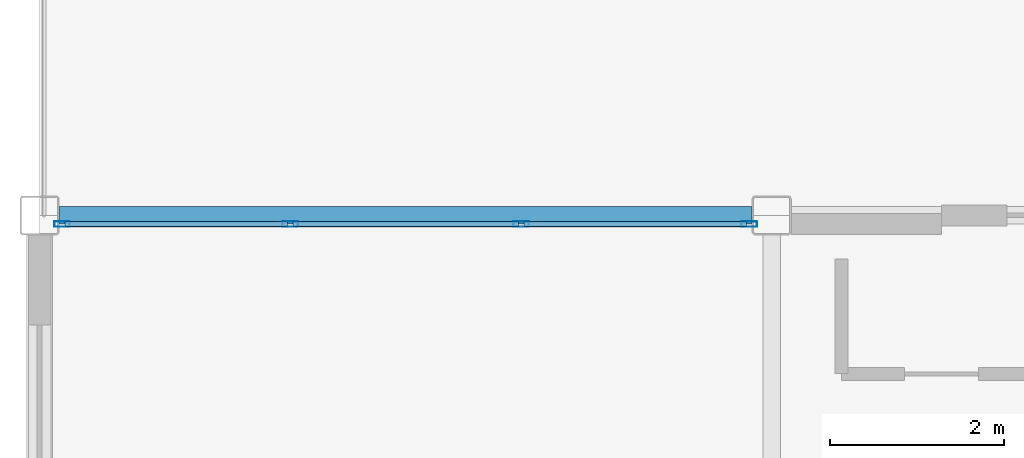
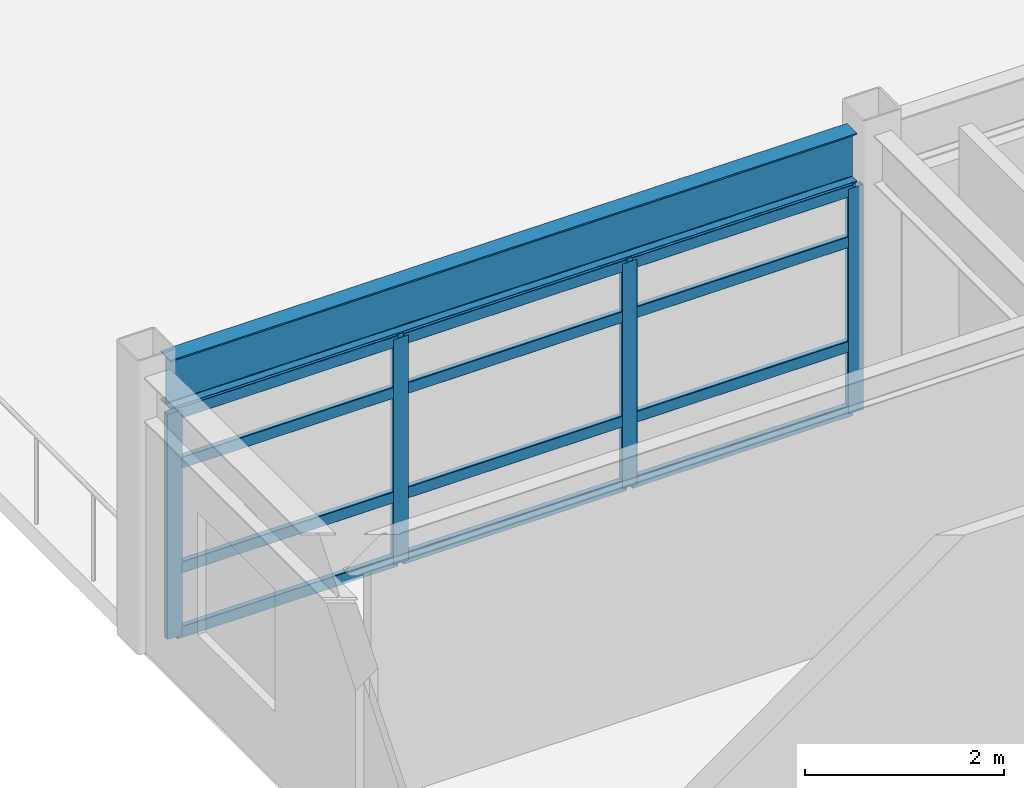
# One storey, part 15 of 28: 16 members, 1 beam, 1 element without a shape of its own.
"""IFC4 building model written with IfcOpenShell, lengths in metres."""

from ifc_helpers import new_model, si_unit, direction, frame, origin, origin_2d, place, context, subcontext, project, spatial, hollow_rectangle, i_section, extrude, material, layer, layer_set, material_profile, profile_set, type_object, element, aggregate, save


model = new_model("IFC4")

# Units and contexts
model_context = context("Model", 3, precision=1e-05, world=origin(), true_north=direction((0.0, 1.0)))
body_context = subcontext(model_context, "Body", "Model", "MODEL_VIEW")
ifc_project = project(units=[si_unit("LENGTHUNIT", "METRE"), si_unit("AREAUNIT", "SQUARE_METRE"), si_unit("VOLUMEUNIT", "CUBIC_METRE"), si_unit("PLANEANGLEUNIT", "RADIAN"), si_unit("MASSUNIT", "GRAM", prefix="KILO")], contexts=[model_context])

# Site, building, storey
site_placement = place(None, origin())
site = spatial("IfcSite", under=ifc_project, at=site_placement, CompositionType="ELEMENT")
building_placement = place(site_placement, origin())
building = spatial("IfcBuilding", under=site, at=building_placement, Name="Kazehara Bluff Congress Hotel", CompositionType="ELEMENT")
storey_placement = place(building_placement, frame((0.0, 0.0, 42.60009765625)))
storey = spatial("IfcBuildingStorey", under=building, at=storey_placement, Name="L10", CompositionType="ELEMENT", Elevation=42.60009765625)

# Curtain wall, members
ifc_material_1 = material(Name="Anodised aluminium", Category="aluminium")
ifc_layer = layer(ifc_material_1, 0.159912109375)
ifc_layer_set = layer_set([ifc_layer], Name="Anodised aluminium")
curtain_wall_type = type_object("IfcCurtainWallType", Name="TP-CW-196", PredefinedType="NOTDEFINED", material=ifc_layer_set)
curtain_wall_placement = place(storey_placement, origin())
curtain_wall = element("IfcCurtainWall", 1, at=curtain_wall_placement, inside=storey, type_object=curtain_wall_type, Name="L10 curtain wall CW-196 CW-ENC-V5-L10-14790-8080", PredefinedType="NOTDEFINED")
ifc_material_2 = material(Name="Anodised aluminium", Category="aluminium")
ifc_material_profile_1 = material_profile(ifc_material_2, hollow_rectangle(XDim=0.06494140625, YDim=0.179931640625, WallThickness=0.00390625, InnerFilletRadius=0.00390625, OuterFilletRadius=0.008056640625, at=origin_2d()))
ifc_profile_set_1 = profile_set([ifc_material_profile_1], Name="Anodised aluminium")
member_type_1 = type_object("IfcMemberType", Name="TP-CWM-02", PredefinedType="MULLION", material=ifc_profile_set_1)
member_1_placement = place(storey_placement, frame((143.95751953125, 80.800048828125, 0.0), z_axis=(0.0, 0.0, 1.0), x_axis=(0.0, 1.0, 0.0)))
member_1 = element("IfcMember", 2, at=member_1_placement, type_object=member_type_1, Name="CW-196 mullion 1", PredefinedType="MULLION", context=body_context, shape_type="SweptSolid", body=[
    extrude(hollow_rectangle(XDim=0.06494140625, YDim=0.179931640625, WallThickness=0.00390625, InnerFilletRadius=0.00390625, OuterFilletRadius=0.008056640625, at=origin_2d()), origin(), (0.0, 0.0, 1.0), 2.7548828125),
])
member_2_placement = place(storey_placement, frame((146.574951171875, 80.800048828125, 0.0), z_axis=(0.0, 0.0, 1.0), x_axis=(0.0, 1.0, 0.0)))
member_2 = element("IfcMember", 3, at=member_2_placement, type_object=member_type_1, Name="CW-196 mullion 2", PredefinedType="MULLION", context=body_context, shape_type="SweptSolid", body=[
    extrude(hollow_rectangle(XDim=0.06494140625, YDim=0.179931640625, WallThickness=0.00390625, InnerFilletRadius=0.00390625, OuterFilletRadius=0.008056640625, at=origin_2d()), origin(), (0.0, 0.0, 1.0), 2.7548828125),
])
member_3_placement = place(storey_placement, frame((149.22509765625, 80.800048828125, 0.0), z_axis=(0.0, 0.0, 1.0), x_axis=(0.0, 1.0, 0.0)))
member_3 = element("IfcMember", 4, at=member_3_placement, type_object=member_type_1, Name="CW-196 mullion 3", PredefinedType="MULLION", context=body_context, shape_type="SweptSolid", body=[
    extrude(hollow_rectangle(XDim=0.06494140625, YDim=0.179931640625, WallThickness=0.00390625, InnerFilletRadius=0.00390625, OuterFilletRadius=0.008056640625, at=origin_2d()), origin(), (0.0, 0.0, 1.0), 2.7548828125),
])
member_4_placement = place(storey_placement, frame((151.842529296875, 80.800048828125, 0.0), z_axis=(0.0, 0.0, 1.0), x_axis=(0.0, 1.0, 0.0)))
member_4 = element("IfcMember", 5, at=member_4_placement, type_object=member_type_1, Name="CW-196 mullion 4", PredefinedType="MULLION", context=body_context, shape_type="SweptSolid", body=[
    extrude(hollow_rectangle(XDim=0.06494140625, YDim=0.179931640625, WallThickness=0.00390625, InnerFilletRadius=0.00390625, OuterFilletRadius=0.008056640625, at=origin_2d()), origin(), (0.0, 0.0, 1.0), 2.7548828125),
])
ifc_material_3 = material(Name="Anodised aluminium", Category="aluminium")
ifc_material_profile_2 = material_profile(ifc_material_3, hollow_rectangle(XDim=0.06494140625, YDim=0.139892578125, WallThickness=0.00390625, InnerFilletRadius=0.00390625, OuterFilletRadius=0.008056640625, at=origin_2d()))
ifc_profile_set_2 = profile_set([ifc_material_profile_2], Name="Anodised aluminium")
member_type_2 = type_object("IfcMemberType", Name="TP-CWT-02", PredefinedType="USERDEFINED", material=ifc_profile_set_2)
member_5_placement = place(storey_placement, frame((143.989990234375, 80.800048828125, 0.032470703125), z_axis=(1.0, 0.0, 0.0), x_axis=(0.0, 1.0, 0.0)))
member_5 = element("IfcMember", 6, at=member_5_placement, type_object=member_type_2, Name="CW-196 transom 1.1", ObjectType="TRANSOM", PredefinedType="USERDEFINED", context=body_context, shape_type="SweptSolid", body=[
    extrude(hollow_rectangle(XDim=0.06494140625, YDim=0.139892578125, WallThickness=0.00390625, InnerFilletRadius=0.00390625, OuterFilletRadius=0.008056640625, at=origin_2d()), origin(), (0.0, 0.0, 1.0), 2.552490234375),
])
member_6_placement = place(storey_placement, frame((143.989990234375, 80.800048828125, 0.824951171875), z_axis=(1.0, 0.0, 0.0), x_axis=(0.0, 1.0, 0.0)))
member_6 = element("IfcMember", 7, at=member_6_placement, type_object=member_type_2, Name="CW-196 transom 1.2", ObjectType="TRANSOM", PredefinedType="USERDEFINED", context=body_context, shape_type="SweptSolid", body=[
    extrude(hollow_rectangle(XDim=0.06494140625, YDim=0.139892578125, WallThickness=0.00390625, InnerFilletRadius=0.00390625, OuterFilletRadius=0.008056640625, at=origin_2d()), origin(), (0.0, 0.0, 1.0), 2.552490234375),
])
member_7_placement = place(storey_placement, frame((143.989990234375, 80.800048828125, 2.10498046875), z_axis=(1.0, 0.0, 0.0), x_axis=(0.0, 1.0, 0.0)))
member_7 = element("IfcMember", 8, at=member_7_placement, type_object=member_type_2, Name="CW-196 transom 1.3", ObjectType="TRANSOM", PredefinedType="USERDEFINED", context=body_context, shape_type="SweptSolid", body=[
    extrude(hollow_rectangle(XDim=0.06494140625, YDim=0.139892578125, WallThickness=0.00390625, InnerFilletRadius=0.00390625, OuterFilletRadius=0.008056640625, at=origin_2d()), origin(), (0.0, 0.0, 1.0), 2.552490234375),
])
member_8_placement = place(storey_placement, frame((143.989990234375, 80.800048828125, 2.722412109375), z_axis=(1.0, 0.0, 0.0), x_axis=(0.0, 1.0, 0.0)))
member_8 = element("IfcMember", 9, at=member_8_placement, type_object=member_type_2, Name="CW-196 transom 1.4", ObjectType="TRANSOM", PredefinedType="USERDEFINED", context=body_context, shape_type="SweptSolid", body=[
    extrude(hollow_rectangle(XDim=0.06494140625, YDim=0.139892578125, WallThickness=0.00390625, InnerFilletRadius=0.00390625, OuterFilletRadius=0.008056640625, at=origin_2d()), origin(), (0.0, 0.0, 1.0), 2.552490234375),
])
member_9_placement = place(storey_placement, frame((146.607421875, 80.800048828125, 0.032470703125), z_axis=(1.0, 0.0, 0.0), x_axis=(0.0, 1.0, 0.0)))
member_9 = element("IfcMember", 10, at=member_9_placement, type_object=member_type_2, Name="CW-196 transom 2.1", ObjectType="TRANSOM", PredefinedType="USERDEFINED", context=body_context, shape_type="SweptSolid", body=[
    extrude(hollow_rectangle(XDim=0.06494140625, YDim=0.139892578125, WallThickness=0.00390625, InnerFilletRadius=0.00390625, OuterFilletRadius=0.008056640625, at=origin_2d()), origin(), (0.0, 0.0, 1.0), 2.5849609375),
])
member_10_placement = place(storey_placement, frame((146.607421875, 80.800048828125, 0.824951171875), z_axis=(1.0, 0.0, 0.0), x_axis=(0.0, 1.0, 0.0)))
member_10 = element("IfcMember", 11, at=member_10_placement, type_object=member_type_2, Name="CW-196 transom 2.2", ObjectType="TRANSOM", PredefinedType="USERDEFINED", context=body_context, shape_type="SweptSolid", body=[
    extrude(hollow_rectangle(XDim=0.06494140625, YDim=0.139892578125, WallThickness=0.00390625, InnerFilletRadius=0.00390625, OuterFilletRadius=0.008056640625, at=origin_2d()), origin(), (0.0, 0.0, 1.0), 2.5849609375),
])
member_11_placement = place(storey_placement, frame((146.607421875, 80.800048828125, 2.10498046875), z_axis=(1.0, 0.0, 0.0), x_axis=(0.0, 1.0, 0.0)))
member_11 = element("IfcMember", 12, at=member_11_placement, type_object=member_type_2, Name="CW-196 transom 2.3", ObjectType="TRANSOM", PredefinedType="USERDEFINED", context=body_context, shape_type="SweptSolid", body=[
    extrude(hollow_rectangle(XDim=0.06494140625, YDim=0.139892578125, WallThickness=0.00390625, InnerFilletRadius=0.00390625, OuterFilletRadius=0.008056640625, at=origin_2d()), origin(), (0.0, 0.0, 1.0), 2.5849609375),
])
member_12_placement = place(storey_placement, frame((146.607421875, 80.800048828125, 2.722412109375), z_axis=(1.0, 0.0, 0.0), x_axis=(0.0, 1.0, 0.0)))
member_12 = element("IfcMember", 13, at=member_12_placement, type_object=member_type_2, Name="CW-196 transom 2.4", ObjectType="TRANSOM", PredefinedType="USERDEFINED", context=body_context, shape_type="SweptSolid", body=[
    extrude(hollow_rectangle(XDim=0.06494140625, YDim=0.139892578125, WallThickness=0.00390625, InnerFilletRadius=0.00390625, OuterFilletRadius=0.008056640625, at=origin_2d()), origin(), (0.0, 0.0, 1.0), 2.5849609375),
])
member_13_placement = place(storey_placement, frame((149.257568359375, 80.800048828125, 0.032470703125), z_axis=(1.0, 0.0, 0.0), x_axis=(0.0, 1.0, 0.0)))
member_13 = element("IfcMember", 14, at=member_13_placement, type_object=member_type_2, Name="CW-196 transom 3.1", ObjectType="TRANSOM", PredefinedType="USERDEFINED", context=body_context, shape_type="SweptSolid", body=[
    extrude(hollow_rectangle(XDim=0.06494140625, YDim=0.139892578125, WallThickness=0.00390625, InnerFilletRadius=0.00390625, OuterFilletRadius=0.008056640625, at=origin_2d()), origin(), (0.0, 0.0, 1.0), 2.552490234375),
])
member_14_placement = place(storey_placement, frame((149.257568359375, 80.800048828125, 0.824951171875), z_axis=(1.0, 0.0, 0.0), x_axis=(0.0, 1.0, 0.0)))
member_14 = element("IfcMember", 15, at=member_14_placement, type_object=member_type_2, Name="CW-196 transom 3.2", ObjectType="TRANSOM", PredefinedType="USERDEFINED", context=body_context, shape_type="SweptSolid", body=[
    extrude(hollow_rectangle(XDim=0.06494140625, YDim=0.139892578125, WallThickness=0.00390625, InnerFilletRadius=0.00390625, OuterFilletRadius=0.008056640625, at=origin_2d()), origin(), (0.0, 0.0, 1.0), 2.552490234375),
])
member_15_placement = place(storey_placement, frame((149.257568359375, 80.800048828125, 2.10498046875), z_axis=(1.0, 0.0, 0.0), x_axis=(0.0, 1.0, 0.0)))
member_15 = element("IfcMember", 16, at=member_15_placement, type_object=member_type_2, Name="CW-196 transom 3.3", ObjectType="TRANSOM", PredefinedType="USERDEFINED", context=body_context, shape_type="SweptSolid", body=[
    extrude(hollow_rectangle(XDim=0.06494140625, YDim=0.139892578125, WallThickness=0.00390625, InnerFilletRadius=0.00390625, OuterFilletRadius=0.008056640625, at=origin_2d()), origin(), (0.0, 0.0, 1.0), 2.552490234375),
])
member_16_placement = place(storey_placement, frame((149.257568359375, 80.800048828125, 2.722412109375), z_axis=(1.0, 0.0, 0.0), x_axis=(0.0, 1.0, 0.0)))
member_16 = element("IfcMember", 17, at=member_16_placement, type_object=member_type_2, Name="CW-196 transom 3.4", ObjectType="TRANSOM", PredefinedType="USERDEFINED", context=body_context, shape_type="SweptSolid", body=[
    extrude(hollow_rectangle(XDim=0.06494140625, YDim=0.139892578125, WallThickness=0.00390625, InnerFilletRadius=0.00390625, OuterFilletRadius=0.008056640625, at=origin_2d()), origin(), (0.0, 0.0, 1.0), 2.552490234375),
])
aggregate(curtain_wall, [member_1, member_2, member_3, member_4, member_5, member_6, member_7, member_8, member_9, member_10, member_11, member_12, member_13, member_14, member_15, member_16])

# Beam
ifc_material_4 = material(Name="Steel SN490B", Category="steel")
ifc_material_profile_3 = material_profile(ifc_material_4, i_section(OverallWidth=0.199951171875, OverallDepth=0.60009765625, WebThickness=0.010986328125, FlangeThickness=0.01708984375, FilletRadius=0.012939453125, at=origin_2d()))
ifc_profile_set_3 = profile_set([ifc_material_profile_3], Name="Steel SN490B")
beam_type = type_object("IfcBeamType", Name="TP-SP-02", PredefinedType="SPANDREL", material=ifc_profile_set_3)
beam_placement = place(storey_placement, frame((143.925048828125, 80.89990234375, 3.079833984375), z_axis=(1.0, 0.0, 0.0), x_axis=(0.0, 1.0, 0.0)))
element("IfcBeam", 18, at=beam_placement, inside=storey, type_object=beam_type, Name="L10 girder SP-02 45", PredefinedType="SPANDREL", context=body_context, shape_type="SweptSolid", body=[
    extrude(i_section(OverallWidth=0.199951171875, OverallDepth=0.60009765625, WebThickness=0.010986328125, FlangeThickness=0.01708984375, FilletRadius=0.012939453125, at=origin_2d()), origin(), (0.0, 0.0, 1.0), 7.949951171875),
])

save(model, "model.ifc")
